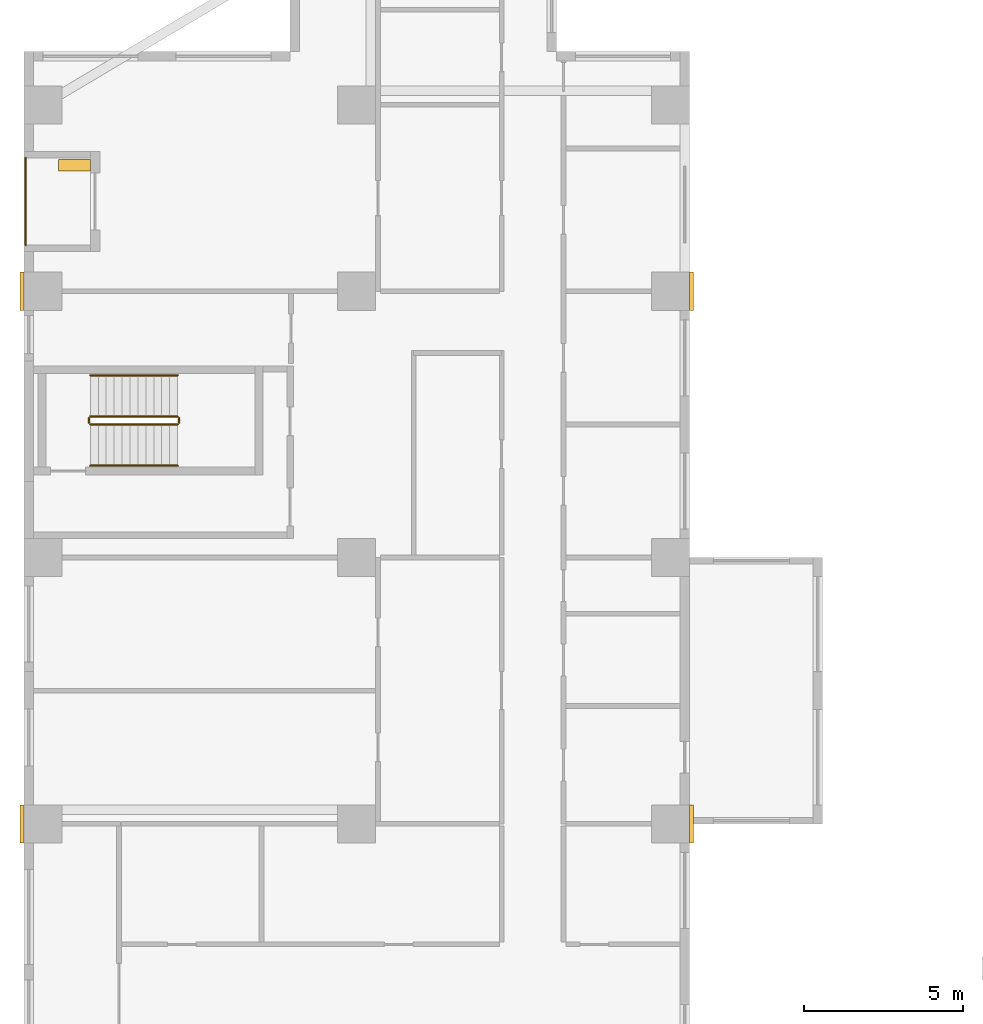
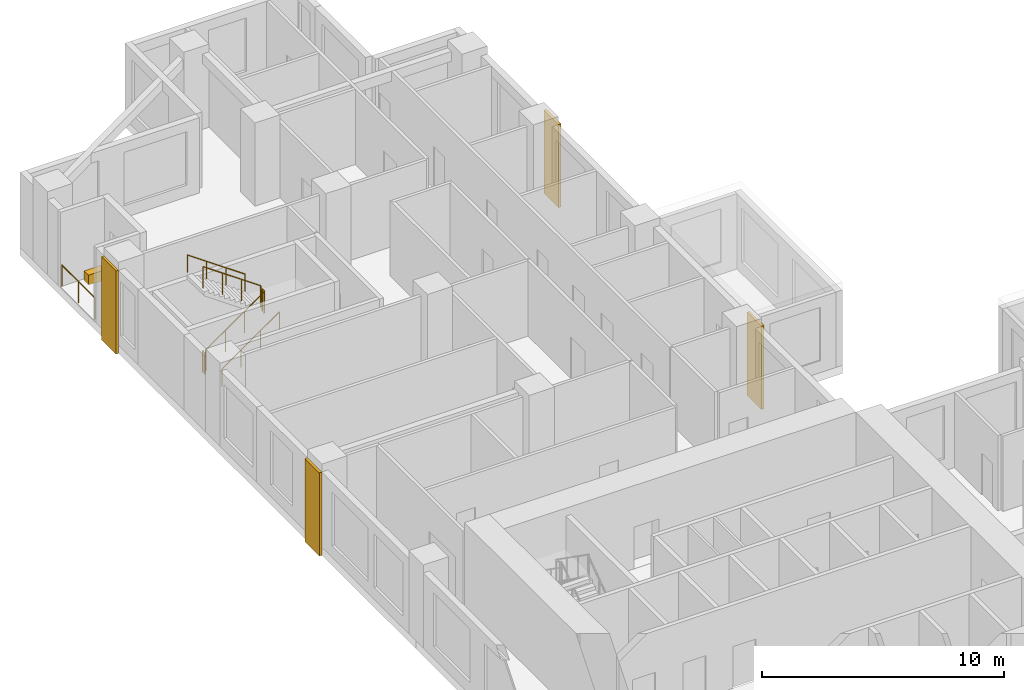
# One storey, part 16 of 16: 7 railings, 5 coverings.
"""IFC4 building model written with IfcOpenShell, lengths in metres."""

from ifc_helpers import new_model, si_unit, direction, frame, origin, origin_2d, place, context, subcontext, project, spatial, rectangle, circle, extrude, source, transform, mapped, material, type_object, element, save


model = new_model("IFC4")

# Units and contexts
model_context = context("Model", 3, precision=1e-05, world=origin(), true_north=direction((0.0, 1.0)))
body_context = subcontext(model_context, "Body", "Model", "MODEL_VIEW")
ifc_project = project(units=[si_unit("LENGTHUNIT", "METRE"), si_unit("AREAUNIT", "SQUARE_METRE"), si_unit("VOLUMEUNIT", "CUBIC_METRE"), si_unit("PLANEANGLEUNIT", "RADIAN"), si_unit("MASSUNIT", "GRAM", prefix="KILO")], contexts=[model_context])

# Site, building, storey
site_placement = place(None, origin())
site = spatial("IfcSite", under=ifc_project, at=site_placement, CompositionType="ELEMENT")
building_placement = place(site_placement, origin())
building = spatial("IfcBuilding", under=site, at=building_placement, Name="Aurelian Terraces", CompositionType="ELEMENT")
storey_placement = place(building_placement, frame((0.0, 0.0, 95.1)))
storey = spatial("IfcBuildingStorey", under=building, at=storey_placement, Name="L20", CompositionType="ELEMENT", Elevation=95.1)

# Railing
ifc_material_1 = material(Name="Anodised aluminium", Category="aluminium")
railing_type_1 = type_object("IfcRailingType", Name="GUARD-1100", PredefinedType="GUARDRAIL", material=ifc_material_1)
railing_1_placement = place(storey_placement, frame((0.06, 50.41, 0.05)))
element("IfcRailing", 1, at=railing_1_placement, inside=storey, type_object=railing_type_1, Name="Loggia guard L20 F18.37", PredefinedType="GUARDRAIL", context=body_context, shape_type="SweptSolid", body=[
    extrude(circle(Radius=0.024, at=origin_2d()), frame((0.0, 0.0, 1.076), z_axis=(0.0, -1.0, 0.0), x_axis=(1.0, 0.0, 0.0)), (0.0, 0.0, 1.0), 2.75),
    extrude(circle(Radius=0.021, at=origin_2d()), origin(), (0.0, 0.0, 1.0), 1.052),
    extrude(circle(Radius=0.021, at=origin_2d()), frame((0.0, -1.375, 0.0)), (0.0, 0.0, 1.0), 1.052),
    extrude(circle(Radius=0.021, at=origin_2d()), frame((0.0, -2.75, 0.0)), (0.0, 0.0, 1.0), 1.052),
])

# Coverings
ifc_material_2 = material(Name="Terracotta planter with planting soil", Category="masonry")
covering_type_1 = type_object("IfcCoveringType", Name="PLANTER-TROUGH", PredefinedType="USERDEFINED", material=ifc_material_2)
covering_placement = place(storey_placement, frame((1.6, 50.175, 0.0), z_axis=(0.0, 0.0, 1.0), x_axis=(1.0, 0.0, 0.0)))
element("IfcCovering", 2, at=covering_placement, inside=storey, type_object=covering_type_1, Name="PLANTER L20 L20-F18-37", ObjectType="PLANTER", PredefinedType="USERDEFINED", context=body_context, shape_type="SweptSolid", body=[
    extrude(rectangle(XDim=1.0, YDim=0.37, at=origin_2d()), origin(), (0.0, 0.0, 1.0), 0.5),
])
ifc_material_3 = material(Name="Terracotta rainscreen cladding relief", Category="masonry")
covering_type_2 = type_object("IfcCoveringType", Name="BAGUETTE-TC", PredefinedType="CLADDING", material=ifc_material_3)
shared_shape_1 = source(origin(), body_context, "Body", "SweptSolid", [
    extrude(rectangle(XDim=0.12, YDim=1.2, at=origin_2d()), origin(), (0.0, 0.0, 1.0), 4.2),
])
for number, where, z_axis, x_axis, name in (
    (3, (-0.06, 29.4, -0.4), (0.0, 0.0, 1.0), (1.0, 0.0, 0.0), "BAGUETTE pier L20 8"),
    (4, (21.06, 29.4, -0.4), (0.0, 0.0, 1.0), (1.0, 0.0, 0.0), "BAGUETTE pier L20 9"),
    (5, (-0.06, 46.2, -0.4), (0.0, 0.0, 1.0), (1.0, 0.0, 0.0), "BAGUETTE pier L20 10"),
    (6, (21.06, 46.2, -0.4), (0.0, 0.0, 1.0), (1.0, 0.0, 0.0), "BAGUETTE pier L20 11"),
):
    element("IfcCovering", number, at=place(storey_placement, frame(where, z_axis=z_axis, x_axis=x_axis)), inside=storey, type_object=covering_type_2, Name=name, PredefinedType="CLADDING", context=body_context, shape_type="MappedRepresentation", body=[
        mapped(shared_shape_1, transform((0.0, 0.0, 0.0), scale=1.0)),
    ])

# Railings
ifc_material_4 = material(Name="Stainless steel", Category="steel")
railing_type_2 = type_object("IfcRailingType", Name="Stair guard 1100", PredefinedType="GUARDRAIL", material=ifc_material_4)
shared_shape_2 = source(origin(), body_context, "Body", "SweptSolid", [
    extrude(circle(Radius=0.024, at=origin_2d()), frame((0.0, 0.0, 1.076), z_axis=(0.0, 1.0, 0.0), x_axis=(-1.0, 0.0, 0.0)), (0.0, 0.0, 1.0), 0.15),
    extrude(circle(Radius=0.021, at=origin_2d()), origin(), (0.0, 0.0, 1.0), 1.052),
    extrude(circle(Radius=0.021, at=origin_2d()), frame((0.0, 0.15, 0.0)), (0.0, 0.0, 1.0), 1.052),
])
for number, where, name in (
    (7, (4.9, 42.05, 2.1), "L20 S3 stair guard 2"),
    (8, (2.05, 42.05, 0.0), "L20 S3 stair guard 4"),
):
    element("IfcRailing", number, at=place(storey_placement, frame(where)), inside=storey, type_object=railing_type_2, Name=name, PredefinedType="GUARDRAIL", context=body_context, shape_type="MappedRepresentation", body=[
        mapped(shared_shape_2, transform((0.0, 0.0, 0.0), scale=1.0)),
    ])
shared_shape_3 = source(origin(), body_context, "Body", "SweptSolid", [
    extrude(circle(Radius=0.024, at=origin_2d()), frame((0.0, 0.0, 1.076), z_axis=(0.819231920519, 0.0, 0.573462344363), x_axis=(0.0, 1.0, 0.0)), (0.0, 0.0, 1.0), 3.3568),
    extrude(circle(Radius=0.021, at=origin_2d()), origin(), (0.0, 0.0, 1.0), 1.052),
    extrude(circle(Radius=0.021, at=origin_2d()), frame((0.9167, 0.0, 0.6417)), (0.0, 0.0, 1.0), 1.052),
    extrude(circle(Radius=0.021, at=origin_2d()), frame((1.8333, 0.0, 1.2833)), (0.0, 0.0, 1.0), 1.052),
    extrude(circle(Radius=0.021, at=origin_2d()), frame((2.75, 0.0, 1.925)), (0.0, 0.0, 1.0), 1.052),
])
railing_2_placement = place(storey_placement, frame((2.1, 42.0, 0.175)))
element("IfcRailing", 9, at=railing_2_placement, inside=storey, type_object=railing_type_2, Name="L20 S3 stair guard 1", PredefinedType="GUARDRAIL", context=body_context, shape_type="MappedRepresentation", body=[
    mapped(shared_shape_3, transform((0.0, 0.0, 0.0), scale=1.0)),
])
shared_shape_4 = source(origin(), body_context, "Body", "SweptSolid", [
    extrude(circle(Radius=0.024, at=origin_2d()), frame((0.0, 0.0, 1.076), z_axis=(-0.819231920519, 0.0, 0.573462344363), x_axis=(0.0, -1.0, 0.0)), (0.0, 0.0, 1.0), 3.3568),
    extrude(circle(Radius=0.021, at=origin_2d()), origin(), (0.0, 0.0, 1.0), 1.052),
    extrude(circle(Radius=0.021, at=origin_2d()), frame((-0.9167, 0.0, 0.6417)), (0.0, 0.0, 1.0), 1.052),
    extrude(circle(Radius=0.021, at=origin_2d()), frame((-1.8333, 0.0, 1.2833)), (0.0, 0.0, 1.0), 1.052),
    extrude(circle(Radius=0.021, at=origin_2d()), frame((-2.75, 0.0, 1.925)), (0.0, 0.0, 1.0), 1.052),
])
railing_3_placement = place(storey_placement, frame((4.85, 42.25, 2.275)))
element("IfcRailing", 10, at=railing_3_placement, inside=storey, type_object=railing_type_2, Name="L20 S3 stair guard 3", PredefinedType="GUARDRAIL", context=body_context, shape_type="MappedRepresentation", body=[
    mapped(shared_shape_4, transform((0.0, 0.0, 0.0), scale=1.0)),
])
railing_type_3 = type_object("IfcRailingType", Name="Stair handrail", PredefinedType="HANDRAIL", material=ifc_material_4)
shared_shape_5 = source(origin(), body_context, "Body", "SweptSolid", [
    extrude(circle(Radius=0.024, at=origin_2d()), frame((0.0, 0.0, 0.876), z_axis=(0.819231920519, 0.0, 0.573462344363), x_axis=(0.0, 1.0, 0.0)), (0.0, 0.0, 1.0), 3.3568),
    extrude(circle(Radius=0.021, at=origin_2d()), origin(), (0.0, 0.0, 1.0), 0.852),
    extrude(circle(Radius=0.021, at=origin_2d()), frame((0.9167, 0.0, 0.6417)), (0.0, 0.0, 1.0), 0.852),
    extrude(circle(Radius=0.021, at=origin_2d()), frame((1.8333, 0.0, 1.2833)), (0.0, 0.0, 1.0), 0.852),
    extrude(circle(Radius=0.021, at=origin_2d()), frame((2.75, 0.0, 1.925)), (0.0, 0.0, 1.0), 0.852),
])
railing_4_placement = place(storey_placement, frame((2.1, 40.7, 0.175)))
element("IfcRailing", 11, at=railing_4_placement, inside=storey, type_object=railing_type_3, Name="L20 S3 stair handrail 1", PredefinedType="HANDRAIL", context=body_context, shape_type="MappedRepresentation", body=[
    mapped(shared_shape_5, transform((0.0, 0.0, 0.0), scale=1.0)),
])
shared_shape_6 = source(origin(), body_context, "Body", "SweptSolid", [
    extrude(circle(Radius=0.024, at=origin_2d()), frame((0.0, 0.0, 0.876), z_axis=(-0.819231920519, 0.0, 0.573462344363), x_axis=(0.0, -1.0, 0.0)), (0.0, 0.0, 1.0), 3.3568),
    extrude(circle(Radius=0.021, at=origin_2d()), origin(), (0.0, 0.0, 1.0), 0.852),
    extrude(circle(Radius=0.021, at=origin_2d()), frame((-0.9167, 0.0, 0.6417)), (0.0, 0.0, 1.0), 0.852),
    extrude(circle(Radius=0.021, at=origin_2d()), frame((-1.8333, 0.0, 1.2833)), (0.0, 0.0, 1.0), 0.852),
    extrude(circle(Radius=0.021, at=origin_2d()), frame((-2.75, 0.0, 1.925)), (0.0, 0.0, 1.0), 0.852),
])
railing_5_placement = place(storey_placement, frame((4.85, 43.55, 2.275)))
element("IfcRailing", 12, at=railing_5_placement, inside=storey, type_object=railing_type_3, Name="L20 S3 stair handrail 2", PredefinedType="HANDRAIL", context=body_context, shape_type="MappedRepresentation", body=[
    mapped(shared_shape_6, transform((0.0, 0.0, 0.0), scale=1.0)),
])

save(model, "model.ifc")
